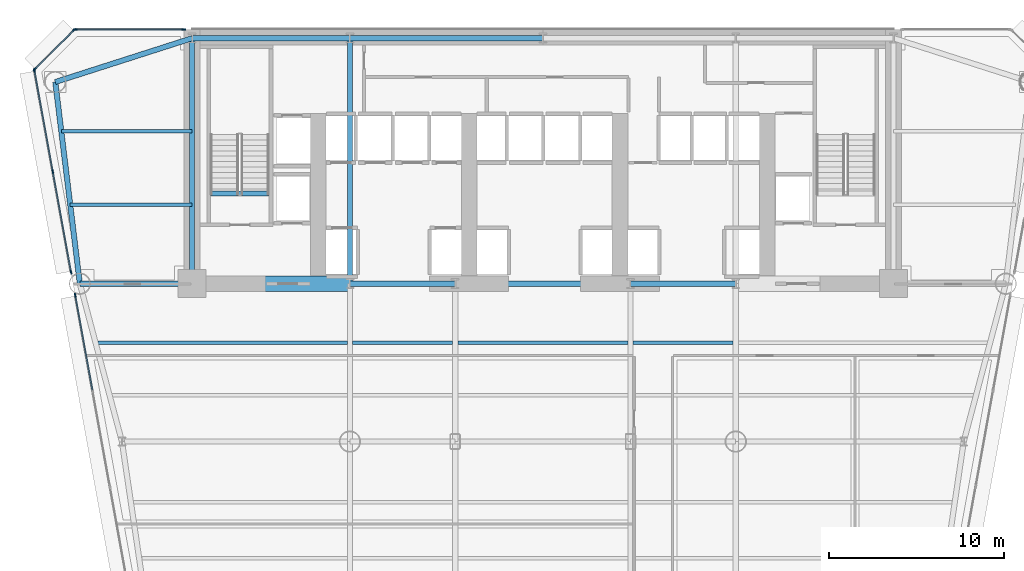
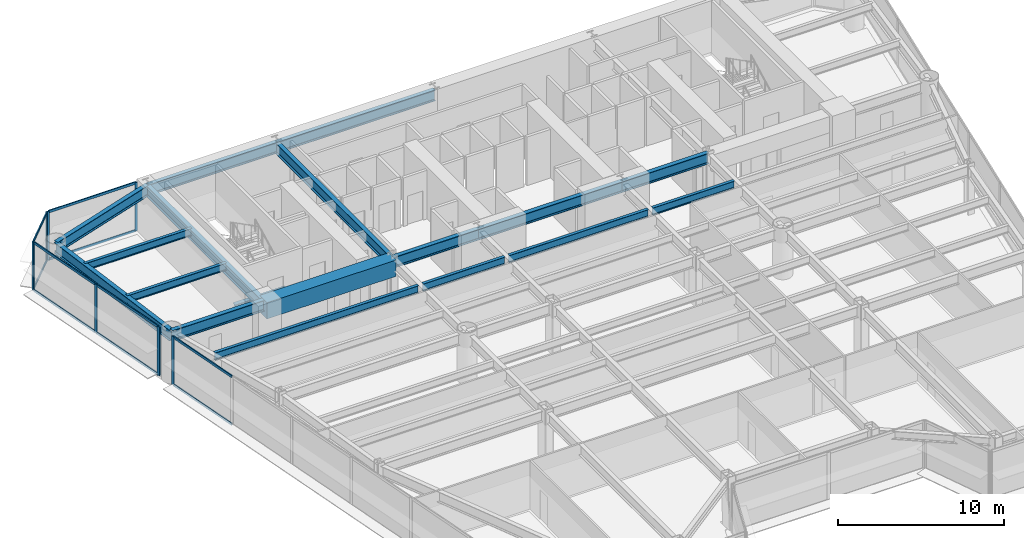
# One storey, part 5 of 14: 18 beams, 18 members, 4 elements without a shape of their own.
"""IFC4 building model written with IfcOpenShell, lengths in metres."""

from ifc_helpers import new_model, si_unit, direction, frame, origin, origin_2d, place, context, subcontext, project, spatial, rectangle, i_section, extrude, source, transform, mapped, material, layer, layer_set, material_profile, profile_set, type_object, element, aggregate, save


model = new_model("IFC4")

# Units and contexts
model_context = context("Model", 3, precision=1e-05, world=origin(), true_north=direction((0.0, 1.0)))
body_context = subcontext(model_context, "Body", "Model", "MODEL_VIEW")
ifc_project = project(units=[si_unit("LENGTHUNIT", "METRE"), si_unit("AREAUNIT", "SQUARE_METRE"), si_unit("VOLUMEUNIT", "CUBIC_METRE"), si_unit("PLANEANGLEUNIT", "RADIAN"), si_unit("MASSUNIT", "GRAM", prefix="KILO")], contexts=[model_context])

# Site, building, storey
site_placement = place(None, origin())
site = spatial("IfcSite", under=ifc_project, at=site_placement, CompositionType="ELEMENT")
building_placement = place(site_placement, origin())
building = spatial("IfcBuilding", under=site, at=building_placement, Name="Vaeldorn Concourse Tower", CompositionType="ELEMENT")
storey_placement = place(building_placement, frame((0.0, 0.0, 30.199951171875)))
storey = spatial("IfcBuildingStorey", under=building, at=storey_placement, Name="L07", CompositionType="ELEMENT", Elevation=30.199951171875)

# Beams
ifc_material_1 = material(Name="Concrete C60/75", Category="concrete")
ifc_material_profile_1 = material_profile(ifc_material_1, rectangle(XDim=0.89990234375, YDim=1.199951171875, at=origin_2d()), Name="RC 900x1200")
ifc_profile_set_1 = profile_set([ifc_material_profile_1], Name="Concrete C60/75")
beam_type_1 = type_object("IfcBeamType", Name="BM-CB-RC900", PredefinedType="BEAM", material=ifc_profile_set_1)
shared_shape_1 = source(origin(), body_context, "Body", "SweptSolid", [
    extrude(rectangle(XDim=0.89990234375, YDim=1.199951171875, at=origin_2d()), origin(), (0.0, 0.0, 1.0), 9.0),
])
beam_1_placement = place(storey_placement, frame((14.0, 36.5, 2.97998046875), z_axis=(1.0, 0.0, 0.0), x_axis=(0.0, 1.0, 0.0)))
element("IfcBeam", 1, at=beam_1_placement, inside=storey, type_object=beam_type_1, Name="Core Coupling Beam L07-1", PredefinedType="BEAM", context=body_context, shape_type="MappedRepresentation", body=[
    mapped(shared_shape_1, transform((0.0, 0.0, 0.0), scale=1.0)),
])
ifc_material_2 = material(Name="Steel S355", Category="steel")
ifc_material_profile_2 = material_profile(ifc_material_2, i_section(OverallWidth=0.300048828125, OverallDepth=0.340087890625, WebThickness=0.011962890625, FlangeThickness=0.021484375, FilletRadius=0.027099609375, at=origin_2d()), Name="HEB 340")
ifc_profile_set_2 = profile_set([ifc_material_profile_2], Name="Steel S355")
beam_type_2 = type_object("IfcBeamType", Name="BM-ST-TRIM", PredefinedType="BEAM", material=ifc_profile_set_2)
shared_shape_2 = source(origin(), body_context, "Body", "SweptSolid", [
    extrude(i_section(OverallWidth=0.300048828125, OverallDepth=0.340087890625, WebThickness=0.011962890625, FlangeThickness=0.021484375, FilletRadius=0.027099609375, at=origin_2d()), origin(), (0.0, 0.0, 1.0), 3.590087890625),
])
beam_2_placement = place(storey_placement, frame((14.929931640625, 41.639892578125, -0.389892578125), z_axis=(1.0, 0.0, 0.0), x_axis=(0.0, 1.0, 0.0)))
element("IfcBeam", 2, at=beam_2_placement, inside=storey, type_object=beam_type_2, Name="Stair Landing Trimmer Beam ST-1 L07", PredefinedType="BEAM", context=body_context, shape_type="MappedRepresentation", body=[
    mapped(shared_shape_2, transform((0.0, 0.0, 0.0), scale=1.0)),
])
ifc_material_profile_3 = material_profile(ifc_material_2, i_section(OverallWidth=0.300048828125, OverallDepth=0.800048828125, WebThickness=0.017578125, FlangeThickness=0.032958984375, FilletRadius=0.030029296875, at=origin_2d()), Name="HEB 800")
ifc_profile_set_3 = profile_set([ifc_material_profile_3], Name="Steel S355")
beam_type_3 = type_object("IfcBeamType", Name="BM-PG-HEB800", PredefinedType="BEAM", material=ifc_profile_set_3)
shared_shape_3 = source(origin(), body_context, "Body", "SweptSolid", [
    extrude(i_section(OverallWidth=0.300048828125, OverallDepth=0.800048828125, WebThickness=0.017578125, FlangeThickness=0.032958984375, FilletRadius=0.030029296875, at=origin_2d()), origin(), (0.0, 0.0, 1.0), 6.0),
])
for number, where, z_axis, x_axis, name in (
    (3, (23.0, 36.5, 3.179931640625), (1.0, 0.0, 0.0), (0.0, 1.0, 0.0), "Beam BM-L07-C-FC2-C-FC3"),
    (4, (39.0, 36.5, 3.179931640625), (1.0, 0.0, 0.0), (0.0, 1.0, 0.0), "Beam BM-L07-C-FC4-C-FC5"),
):
    element("IfcBeam", number, at=place(storey_placement, frame(where, z_axis=z_axis, x_axis=x_axis)), inside=storey, type_object=beam_type_3, Name=name, PredefinedType="BEAM", context=body_context, shape_type="MappedRepresentation", body=[
        mapped(shared_shape_3, transform((0.0, 0.0, 0.0), scale=1.0)),
    ])
shared_shape_4 = source(origin(), body_context, "Body", "SweptSolid", [
    extrude(i_section(OverallWidth=0.300048828125, OverallDepth=0.800048828125, WebThickness=0.017578125, FlangeThickness=0.032958984375, FilletRadius=0.030029296875, at=origin_2d()), origin(), (0.0, 0.0, 1.0), 10.0),
])
beam_3_placement = place(storey_placement, frame((29.0, 36.5, 3.179931640625), z_axis=(1.0, 0.0, 0.0), x_axis=(0.0, 1.0, 0.0)))
element("IfcBeam", 5, at=beam_3_placement, inside=storey, type_object=beam_type_3, Name="Beam BM-L07-C-FC3-C-FC4", PredefinedType="BEAM", context=body_context, shape_type="MappedRepresentation", body=[
    mapped(shared_shape_4, transform((0.0, 0.0, 0.0), scale=1.0)),
])
shared_shape_5 = source(origin(), body_context, "Body", "SweptSolid", [
    extrude(i_section(OverallWidth=0.300048828125, OverallDepth=0.800048828125, WebThickness=0.017578125, FlangeThickness=0.032958984375, FilletRadius=0.030029296875, at=origin_2d()), origin(), (0.0, 0.0, 1.0), 9.0),
])
beam_4_placement = place(storey_placement, frame((14.0, 50.5, 3.179931640625), z_axis=(1.0, 0.0, 0.0), x_axis=(0.0, 1.0, 0.0)))
element("IfcBeam", 6, at=beam_4_placement, inside=storey, type_object=beam_type_3, Name="Beam BM-L07-C-HC1-C-HC2", PredefinedType="BEAM", context=body_context, shape_type="MappedRepresentation", body=[
    mapped(shared_shape_5, transform((0.0, 0.0, 0.0), scale=1.0)),
])
shared_shape_6 = source(origin(), body_context, "Body", "SweptSolid", [
    extrude(i_section(OverallWidth=0.300048828125, OverallDepth=0.800048828125, WebThickness=0.017578125, FlangeThickness=0.032958984375, FilletRadius=0.030029296875, at=origin_2d()), origin(), (0.0, 0.0, 1.0), 11.0),
])
beam_5_placement = place(storey_placement, frame((23.0, 50.5, 3.179931640625), z_axis=(1.0, 0.0, 0.0), x_axis=(0.0, 1.0, 0.0)))
element("IfcBeam", 7, at=beam_5_placement, inside=storey, type_object=beam_type_3, Name="Beam BM-L07-C-HC2-C-HC3", PredefinedType="BEAM", context=body_context, shape_type="MappedRepresentation", body=[
    mapped(shared_shape_6, transform((0.0, 0.0, 0.0), scale=1.0)),
])
shared_shape_7 = source(origin(), body_context, "Body", "SweptSolid", [
    extrude(i_section(OverallWidth=0.300048828125, OverallDepth=0.800048828125, WebThickness=0.017578125, FlangeThickness=0.032958984375, FilletRadius=0.030029296875, at=origin_2d()), origin(), (0.0, 0.0, 1.0), 14.0),
])
for number, where, z_axis, x_axis, name in (
    (8, (14.0, 36.5, 3.179931640625), (0.0, 1.0, 0.0), (-1.0, 0.0, 0.0), "Beam BM-L07-C-FC1-C-HC1"),
    (9, (23.0, 36.5, 3.179931640625), (0.0, 1.0, 0.0), (-1.0, 0.0, 0.0), "Beam BM-L07-C-FC2-C-HC2"),
):
    element("IfcBeam", number, at=place(storey_placement, frame(where, z_axis=z_axis, x_axis=x_axis)), inside=storey, type_object=beam_type_3, Name=name, PredefinedType="BEAM", context=body_context, shape_type="MappedRepresentation", body=[
        mapped(shared_shape_7, transform((0.0, 0.0, 0.0), scale=1.0)),
    ])
shared_shape_8 = source(origin(), body_context, "Body", "SweptSolid", [
    extrude(i_section(OverallWidth=0.300048828125, OverallDepth=0.800048828125, WebThickness=0.017578125, FlangeThickness=0.032958984375, FilletRadius=0.030029296875, at=origin_2d()), origin(), (0.0, 0.0, 1.0), 8.19091796875),
])
beam_6_placement = place(storey_placement, frame((6.199951171875, 48.0, 3.179931640625), z_axis=(0.952282843383, 0.305216949396, 0.0), x_axis=(-0.305216949396, 0.952282843383, 0.0)))
element("IfcBeam", 10, at=beam_6_placement, inside=storey, type_object=beam_type_3, Name="Beam BM-L07-C-NW1-C-HC1", PredefinedType="BEAM", context=body_context, shape_type="MappedRepresentation", body=[
    mapped(shared_shape_8, transform((0.0, 0.0, 0.0), scale=1.0)),
])
shared_shape_9 = source(origin(), body_context, "Body", "SweptSolid", [
    extrude(i_section(OverallWidth=0.300048828125, OverallDepth=0.800048828125, WebThickness=0.017578125, FlangeThickness=0.032958984375, FilletRadius=0.030029296875, at=origin_2d()), origin(), (0.0, 0.0, 1.0), 11.5849609375),
])
beam_7_placement = place(storey_placement, frame((6.199951171875, 48.0, 3.179931640625), z_axis=(0.120859382899, -0.992669637677, 0.0), x_axis=(0.992669637677, 0.120859382899, 0.0)))
element("IfcBeam", 11, at=beam_7_placement, inside=storey, type_object=beam_type_3, Name="Beam BM-L07-C-NW1-C-NW2", PredefinedType="BEAM", context=body_context, shape_type="MappedRepresentation", body=[
    mapped(shared_shape_9, transform((0.0, 0.0, 0.0), scale=1.0)),
])
shared_shape_10 = source(origin(), body_context, "Body", "SweptSolid", [
    extrude(i_section(OverallWidth=0.300048828125, OverallDepth=0.800048828125, WebThickness=0.017578125, FlangeThickness=0.032958984375, FilletRadius=0.030029296875, at=origin_2d()), origin(), (0.0, 0.0, 1.0), 6.39990234375),
])
beam_8_placement = place(storey_placement, frame((7.60009765625, 36.5, 3.179931640625), z_axis=(1.0, 0.0, 0.0), x_axis=(0.0, 1.0, 0.0)))
element("IfcBeam", 12, at=beam_8_placement, inside=storey, type_object=beam_type_3, Name="Beam BM-L07-C-NW2-C-FC1", PredefinedType="BEAM", context=body_context, shape_type="MappedRepresentation", body=[
    mapped(shared_shape_10, transform((0.0, 0.0, 0.0), scale=1.0)),
])
ifc_material_profile_4 = material_profile(ifc_material_2, i_section(OverallWidth=0.2099609375, OverallDepth=0.550048828125, WebThickness=0.010986328125, FlangeThickness=0.01708984375, FilletRadius=0.02392578125, at=origin_2d()), Name="IPE 550")
ifc_profile_set_4 = profile_set([ifc_material_profile_4], Name="Steel S355")
beam_type_4 = type_object("IfcBeamType", Name="BM-JS-IPE550", PredefinedType="JOIST", material=ifc_profile_set_4)
shared_shape_11 = source(origin(), body_context, "Body", "SweptSolid", [
    extrude(i_section(OverallWidth=0.2099609375, OverallDepth=0.550048828125, WebThickness=0.010986328125, FlangeThickness=0.01708984375, FilletRadius=0.02392578125, at=origin_2d()), origin(), (0.0, 0.0, 1.0), 5.7001953125),
])
for number, where, z_axis, x_axis, name in (
    (13, (23.14990234375, 33.139892578125, 3.304931640625), (1.0, 0.0, 0.0), (0.0, 1.0, 0.0), "Beam JS-L07-W2-331"),
    (14, (39.14990234375, 33.139892578125, 3.304931640625), (1.0, 0.0, 0.0), (0.0, 1.0, 0.0), "Beam JS-L07-E2-331"),
):
    element("IfcBeam", number, at=place(storey_placement, frame(where, z_axis=z_axis, x_axis=x_axis)), inside=storey, type_object=beam_type_4, Name=name, PredefinedType="JOIST", context=body_context, shape_type="MappedRepresentation", body=[
        mapped(shared_shape_11, transform((0.0, 0.0, 0.0), scale=1.0)),
    ])
shared_shape_12 = source(origin(), body_context, "Body", "SweptSolid", [
    extrude(i_section(OverallWidth=0.2099609375, OverallDepth=0.550048828125, WebThickness=0.010986328125, FlangeThickness=0.01708984375, FilletRadius=0.02392578125, at=origin_2d()), origin(), (0.0, 0.0, 1.0), 9.7001953125),
])
beam_9_placement = place(storey_placement, frame((29.14990234375, 33.139892578125, 3.304931640625), z_axis=(1.0, 0.0, 0.0), x_axis=(0.0, 1.0, 0.0)))
element("IfcBeam", 15, at=beam_9_placement, inside=storey, type_object=beam_type_4, Name="Beam JS-L07-C-331", PredefinedType="JOIST", context=body_context, shape_type="MappedRepresentation", body=[
    mapped(shared_shape_12, transform((0.0, 0.0, 0.0), scale=1.0)),
])
shared_shape_13 = source(origin(), body_context, "Body", "SweptSolid", [
    extrude(i_section(OverallWidth=0.2099609375, OverallDepth=0.550048828125, WebThickness=0.010986328125, FlangeThickness=0.01708984375, FilletRadius=0.02392578125, at=origin_2d()), origin(), (0.0, 0.0, 1.0), 6.94775390625),
])
beam_10_placement = place(storey_placement, frame((7.05224609375, 41.0, 3.304931640625), z_axis=(1.0, 0.0, 0.0), x_axis=(0.0, 1.0, 0.0)))
element("IfcBeam", 16, at=beam_10_placement, inside=storey, type_object=beam_type_4, Name="Beam JS-L07-NW-410", PredefinedType="JOIST", context=body_context, shape_type="MappedRepresentation", body=[
    mapped(shared_shape_13, transform((0.0, 0.0, 0.0), scale=1.0)),
])
shared_shape_14 = source(origin(), body_context, "Body", "SweptSolid", [
    extrude(i_section(OverallWidth=0.2099609375, OverallDepth=0.550048828125, WebThickness=0.010986328125, FlangeThickness=0.01708984375, FilletRadius=0.02392578125, at=origin_2d()), origin(), (0.0, 0.0, 1.0), 7.458984375),
])
beam_11_placement = place(storey_placement, frame((6.541015625, 45.199951171875, 3.304931640625), z_axis=(1.0, 0.0, 0.0), x_axis=(0.0, 1.0, 0.0)))
element("IfcBeam", 17, at=beam_11_placement, inside=storey, type_object=beam_type_4, Name="Beam JS-L07-NW-452", PredefinedType="JOIST", context=body_context, shape_type="MappedRepresentation", body=[
    mapped(shared_shape_14, transform((0.0, 0.0, 0.0), scale=1.0)),
])
shared_shape_15 = source(origin(), body_context, "Body", "SweptSolid", [
    extrude(i_section(OverallWidth=0.2099609375, OverallDepth=0.550048828125, WebThickness=0.010986328125, FlangeThickness=0.01708984375, FilletRadius=0.02392578125, at=origin_2d()), origin(), (0.0, 0.0, 1.0), 14.2041015625),
])
beam_12_placement = place(storey_placement, frame((8.64599609375, 33.139892578125, 3.304931640625), z_axis=(1.0, 0.0, 0.0), x_axis=(0.0, 1.0, 0.0)))
element("IfcBeam", 18, at=beam_12_placement, inside=storey, type_object=beam_type_4, Name="Beam JS-L07-W1-331", PredefinedType="JOIST", context=body_context, shape_type="MappedRepresentation", body=[
    mapped(shared_shape_15, transform((0.0, 0.0, 0.0), scale=1.0)),
])

# Curtain wall, members
ifc_material_3 = material(Name="Anodised Bronze Aluminium", Category="aluminium")
ifc_layer = layer(ifc_material_3, 0.219970703125)
ifc_layer_set = layer_set([ifc_layer], Name="Anodised Bronze Aluminium")
curtain_wall_type = type_object("IfcCurtainWallType", Name="CW-SYS-01", PredefinedType="NOTDEFINED", material=ifc_layer_set)
curtain_wall_1_placement = place(storey_placement, origin())
curtain_wall_1 = element("IfcCurtainWall", 19, at=curtain_wall_1_placement, inside=storey, type_object=curtain_wall_type, Name="Unitised Curtain Wall CW-L07-E10-1", PredefinedType="NOTDEFINED")
ifc_material_profile_5 = material_profile(ifc_material_3, rectangle(XDim=0.074951171875, YDim=0.179931640625, at=origin_2d()), Name="CWT 75x180")
ifc_profile_set_5 = profile_set([ifc_material_profile_5], Name="Anodised Bronze Aluminium")
member_type_1 = type_object("IfcMemberType", Name="CWT-BRONZE-180", PredefinedType="USERDEFINED", material=ifc_profile_set_5)
shared_shape_16 = source(origin(), body_context, "Body", "SweptSolid", [
    extrude(rectangle(XDim=0.074951171875, YDim=0.179931640625, at=origin_2d()), origin(), (0.0, 0.0, 1.0), 3.10302734375),
])
member_1_placement = place(storey_placement, frame((7.2470703125, 50.947021484375, 0.03759765625), z_axis=(-0.707106781187, -0.707106781187, 0.0), x_axis=(0.707106781187, -0.707106781187, 0.0)))
member_1 = element("IfcMember", 20, at=member_1_placement, type_object=member_type_1, Name="CW-01 transom 1.1", ObjectType="TRANSOM", PredefinedType="USERDEFINED", context=body_context, shape_type="MappedRepresentation", body=[
    mapped(shared_shape_16, transform((0.0, 0.0, 0.0), scale=1.0)),
])
member_2_placement = place(storey_placement, frame((7.2470703125, 50.947021484375, 3.54248046875), z_axis=(-0.707106781187, -0.707106781187, 0.0), x_axis=(0.707106781187, -0.707106781187, 0.0)))
member_2 = element("IfcMember", 21, at=member_2_placement, type_object=member_type_1, Name="CW-01 transom 1.2", ObjectType="TRANSOM", PredefinedType="USERDEFINED", context=body_context, shape_type="MappedRepresentation", body=[
    mapped(shared_shape_16, transform((0.0, 0.0, 0.0), scale=1.0)),
])

curtain_wall_2_placement = place(storey_placement, origin())
curtain_wall_2 = element("IfcCurtainWall", 22, at=curtain_wall_2_placement, inside=storey, type_object=curtain_wall_type, Name="Unitised Curtain Wall CW-L07-E09-2", PredefinedType="NOTDEFINED")
shared_shape_17 = source(origin(), body_context, "Body", "SweptSolid", [
    extrude(rectangle(XDim=0.074951171875, YDim=0.179931640625, at=origin_2d()), origin(), (0.0, 0.0, 1.0), 6.10498046875),
])
member_3_placement = place(storey_placement, frame((13.47998046875, 51.0, 0.03759765625), z_axis=(-1.0, 0.0, 0.0), x_axis=(0.0, -1.0, 0.0)))
member_3 = element("IfcMember", 23, at=member_3_placement, type_object=member_type_1, Name="CW-01 transom 1.1", ObjectType="TRANSOM", PredefinedType="USERDEFINED", context=body_context, shape_type="MappedRepresentation", body=[
    mapped(shared_shape_17, transform((0.0, 0.0, 0.0), scale=1.0)),
])
member_4_placement = place(storey_placement, frame((13.47998046875, 51.0, 3.54248046875), z_axis=(-1.0, 0.0, 0.0), x_axis=(0.0, -1.0, 0.0)))
member_4 = element("IfcMember", 24, at=member_4_placement, type_object=member_type_1, Name="CW-01 transom 1.2", ObjectType="TRANSOM", PredefinedType="USERDEFINED", context=body_context, shape_type="MappedRepresentation", body=[
    mapped(shared_shape_17, transform((0.0, 0.0, 0.0), scale=1.0)),
])

curtain_wall_3_placement = place(storey_placement, origin())
curtain_wall_3 = element("IfcCurtainWall", 25, at=curtain_wall_3_placement, inside=storey, type_object=curtain_wall_type, Name="Unitised Curtain Wall CW-L07-E11-1", PredefinedType="NOTDEFINED")
shared_shape_18 = source(origin(), body_context, "Body", "SweptSolid", [
    extrude(rectangle(XDim=0.074951171875, YDim=0.179931640625, at=origin_2d()), origin(), (0.0, 0.0, 1.0), 5.7724609375),
])
member_5_placement = place(storey_placement, frame((6.058349609375, 42.872802734375, 0.03759765625), z_axis=(0.178695615717, -0.983904404362, 0.0), x_axis=(0.983904404362, 0.178695615717, 0.0)))
member_5 = element("IfcMember", 26, at=member_5_placement, type_object=member_type_1, Name="CW-01 transom 2.1", ObjectType="TRANSOM", PredefinedType="USERDEFINED", context=body_context, shape_type="MappedRepresentation", body=[
    mapped(shared_shape_18, transform((0.0, 0.0, 0.0), scale=1.0)),
])
member_6_placement = place(storey_placement, frame((6.058349609375, 42.872802734375, 3.54248046875), z_axis=(0.178695615717, -0.983904404362, 0.0), x_axis=(0.983904404362, 0.178695615717, 0.0)))
member_6 = element("IfcMember", 27, at=member_6_placement, type_object=member_type_1, Name="CW-01 transom 2.2", ObjectType="TRANSOM", PredefinedType="USERDEFINED", context=body_context, shape_type="MappedRepresentation", body=[
    mapped(shared_shape_18, transform((0.0, 0.0, 0.0), scale=1.0)),
])

# Member
ifc_material_profile_6 = material_profile(ifc_material_3, rectangle(XDim=0.074951171875, YDim=0.219970703125, at=origin_2d()), Name="CWM 75x220")
ifc_profile_set_6 = profile_set([ifc_material_profile_6], Name="Anodised Bronze Aluminium")
member_type_2 = type_object("IfcMemberType", Name="CWM-BRONZE-220", PredefinedType="MULLION", material=ifc_profile_set_6)
shared_shape_19 = source(origin(), body_context, "Body", "SweptSolid", [
    extrude(rectangle(XDim=0.074951171875, YDim=0.219970703125, at=origin_2d()), origin(), (0.0, 0.0, 1.0), 3.580078125),
])
member_7_placement = place(storey_placement, frame((13.517578125, 51.0, 0.0), z_axis=(0.0, 0.0, 1.0), x_axis=(0.0, -1.0, 0.0)))
member_7 = element("IfcMember", 28, at=member_7_placement, type_object=member_type_2, Name="CW-01 mullion 1", PredefinedType="MULLION", context=body_context, shape_type="MappedRepresentation", body=[
    mapped(shared_shape_19, transform((0.0, 0.0, 0.0), scale=1.0)),
])

member_8_placement = place(storey_placement, frame((7.33740234375, 51.0, 0.0), z_axis=(0.0, 0.0, 1.0), x_axis=(0.0, -1.0, 0.0)))
member_8 = element("IfcMember", 29, at=member_8_placement, type_object=member_type_2, Name="CW-01 mullion 2", PredefinedType="MULLION", context=body_context, shape_type="MappedRepresentation", body=[
    mapped(shared_shape_19, transform((0.0, 0.0, 0.0), scale=1.0)),
])

aggregate(curtain_wall_2, [member_7, member_8, member_3, member_4])

member_9_placement = place(storey_placement, frame((7.2734375, 50.973388671875, 0.0), z_axis=(0.0, 0.0, 1.0), x_axis=(0.707106781187, -0.707106781187, 0.0)))
member_9 = element("IfcMember", 30, at=member_9_placement, type_object=member_type_2, Name="CW-01 mullion 1", PredefinedType="MULLION", context=body_context, shape_type="MappedRepresentation", body=[
    mapped(shared_shape_19, transform((0.0, 0.0, 0.0), scale=1.0)),
])

member_10_placement = place(storey_placement, frame((5.026611328125, 48.7265625, 0.0), z_axis=(0.0, 0.0, 1.0), x_axis=(0.707106781187, -0.707106781187, 0.0)))
member_10 = element("IfcMember", 31, at=member_10_placement, type_object=member_type_2, Name="CW-01 mullion 2", PredefinedType="MULLION", context=body_context, shape_type="MappedRepresentation", body=[
    mapped(shared_shape_19, transform((0.0, 0.0, 0.0), scale=1.0)),
])

aggregate(curtain_wall_1, [member_9, member_10, member_1, member_2])

member_11_placement = place(storey_placement, frame((5.006591796875, 48.6630859375, 0.0), z_axis=(0.0, 0.0, 1.0), x_axis=(0.983904963594, 0.178692536538, 0.0)))
member_11 = element("IfcMember", 32, at=member_11_placement, type_object=member_type_2, Name="CW-01 mullion 1", PredefinedType="MULLION", context=body_context, shape_type="MappedRepresentation", body=[
    mapped(shared_shape_19, transform((0.0, 0.0, 0.0), scale=1.0)),
])

member_12_placement = place(storey_placement, frame((6.051513671875, 42.90966796875, 0.0), z_axis=(0.0, 0.0, 1.0), x_axis=(0.983904963594, 0.178692536538, 0.0)))
member_12 = element("IfcMember", 33, at=member_12_placement, type_object=member_type_2, Name="CW-01 mullion 2", PredefinedType="MULLION", context=body_context, shape_type="MappedRepresentation", body=[
    mapped(shared_shape_19, transform((0.0, 0.0, 0.0), scale=1.0)),
])

member_13_placement = place(storey_placement, frame((7.096435546875, 37.156494140625, 0.0), z_axis=(0.0, 0.0, 1.0), x_axis=(0.983904963594, 0.178692536538, 0.0)))
member_13 = element("IfcMember", 34, at=member_13_placement, type_object=member_type_2, Name="CW-01 mullion 3", PredefinedType="MULLION", context=body_context, shape_type="MappedRepresentation", body=[
    mapped(shared_shape_19, transform((0.0, 0.0, 0.0), scale=1.0)),
])

# Curtain wall, members
curtain_wall_4_placement = place(storey_placement, origin())
curtain_wall_4 = element("IfcCurtainWall", 35, at=curtain_wall_4_placement, inside=storey, type_object=curtain_wall_type, Name="Unitised Curtain Wall CW-L07-E11-2", PredefinedType="NOTDEFINED")
member_14_placement = place(storey_placement, frame((7.3349609375, 35.843505859375, 0.0), z_axis=(0.0, 0.0, 1.0), x_axis=(0.98390490828, 0.178692841107, 0.0)))
member_14 = element("IfcMember", 36, at=member_14_placement, type_object=member_type_2, Name="CW-01 mullion 1", PredefinedType="MULLION", context=body_context, shape_type="MappedRepresentation", body=[
    mapped(shared_shape_19, transform((0.0, 0.0, 0.0), scale=1.0)),
])
shared_shape_20 = source(origin(), body_context, "Body", "SweptSolid", [
    extrude(rectangle(XDim=0.074951171875, YDim=0.179931640625, at=origin_2d()), origin(), (0.0, 0.0, 1.0), 5.454345703125),
])
member_15_placement = place(storey_placement, frame((7.341552734375, 35.806640625, 0.03759765625), z_axis=(0.178688483382, -0.983905699702, 0.0), x_axis=(0.983905699702, 0.178688483382, 0.0)))
member_15 = element("IfcMember", 37, at=member_15_placement, type_object=member_type_1, Name="CW-01 transom 1.1", ObjectType="TRANSOM", PredefinedType="USERDEFINED", context=body_context, shape_type="MappedRepresentation", body=[
    mapped(shared_shape_20, transform((0.0, 0.0, 0.0), scale=1.0)),
])
member_16_placement = place(storey_placement, frame((7.341552734375, 35.806640625, 3.54248046875), z_axis=(0.178688483382, -0.983905699702, 0.0), x_axis=(0.983905699702, 0.178688483382, 0.0)))
member_16 = element("IfcMember", 38, at=member_16_placement, type_object=member_type_1, Name="CW-01 transom 1.2", ObjectType="TRANSOM", PredefinedType="USERDEFINED", context=body_context, shape_type="MappedRepresentation", body=[
    mapped(shared_shape_20, transform((0.0, 0.0, 0.0), scale=1.0)),
])
aggregate(curtain_wall_4, [member_14, member_15, member_16])

# Member
shared_shape_21 = source(origin(), body_context, "Body", "SweptSolid", [
    extrude(rectangle(XDim=0.074951171875, YDim=0.179931640625, at=origin_2d()), origin(), (0.0, 0.0, 1.0), 5.772705078125),
])
member_17_placement = place(storey_placement, frame((5.013427734375, 48.626220703125, 0.03759765625), z_axis=(0.178688179772, -0.983905754841, 0.0), x_axis=(0.983905754841, 0.178688179772, 0.0)))
member_17 = element("IfcMember", 39, at=member_17_placement, type_object=member_type_1, Name="CW-01 transom 1.1", ObjectType="TRANSOM", PredefinedType="USERDEFINED", context=body_context, shape_type="MappedRepresentation", body=[
    mapped(shared_shape_21, transform((0.0, 0.0, 0.0), scale=1.0)),
])

member_18_placement = place(storey_placement, frame((5.013427734375, 48.626220703125, 3.54248046875), z_axis=(0.178688179772, -0.983905754841, 0.0), x_axis=(0.983905754841, 0.178688179772, 0.0)))
member_18 = element("IfcMember", 40, at=member_18_placement, type_object=member_type_1, Name="CW-01 transom 1.2", ObjectType="TRANSOM", PredefinedType="USERDEFINED", context=body_context, shape_type="MappedRepresentation", body=[
    mapped(shared_shape_21, transform((0.0, 0.0, 0.0), scale=1.0)),
])

aggregate(curtain_wall_3, [member_11, member_12, member_13, member_17, member_18, member_5, member_6])

save(model, "model.ifc")
